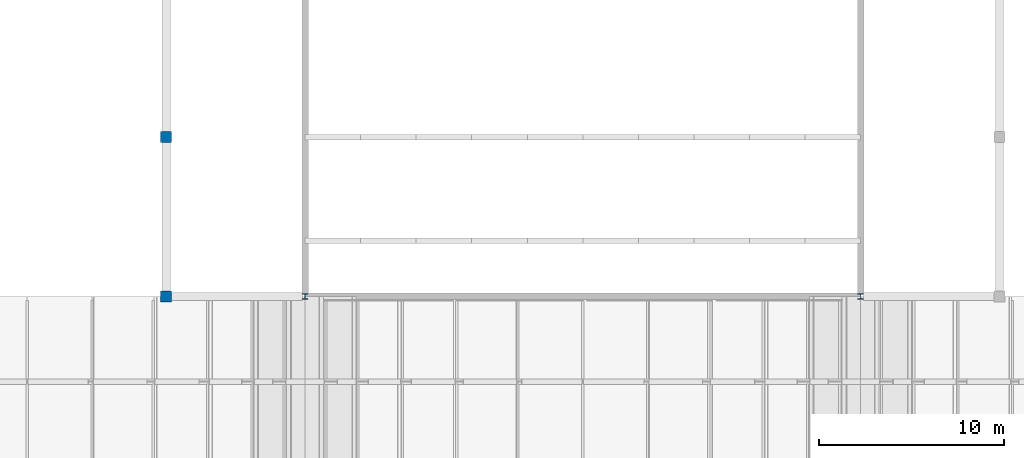
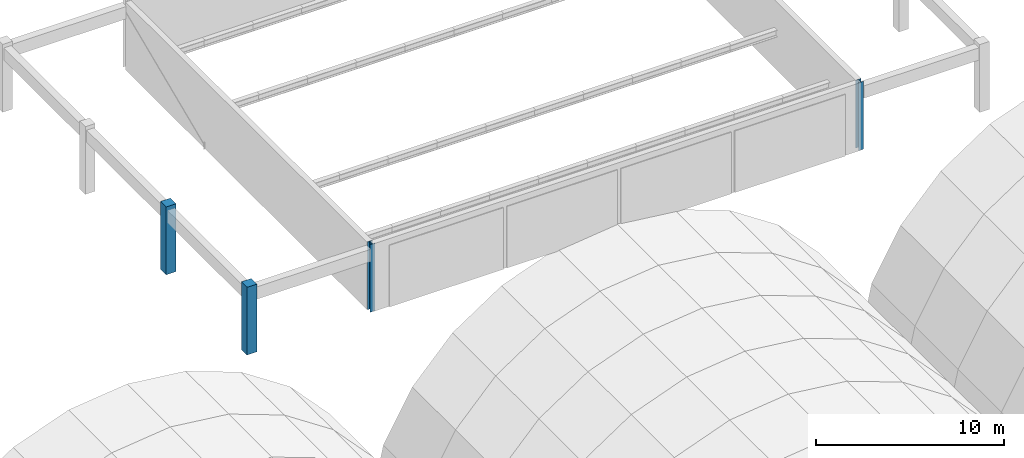
# One storey, part 1 of 47: 4 columns.
"""IFC4 building model written with IfcOpenShell, lengths in metres."""

from ifc_helpers import new_model, si_unit, direction, frame, origin, origin_2d, place, context, subcontext, project, spatial, rectangle, i_section, extrude, material, material_profile, profile_set, type_object, element, save


model = new_model("IFC4")

# Units and contexts
model_context = context("Model", 3, precision=1e-05, world=origin(), true_north=direction((0.0, 1.0)))
body_context = subcontext(model_context, "Body", "Model", "MODEL_VIEW")
ifc_project = project(units=[si_unit("LENGTHUNIT", "METRE"), si_unit("AREAUNIT", "SQUARE_METRE"), si_unit("VOLUMEUNIT", "CUBIC_METRE"), si_unit("PLANEANGLEUNIT", "RADIAN"), si_unit("MASSUNIT", "GRAM", prefix="KILO")], contexts=[model_context])

# Site, building, storey
site_placement = place(None, origin())
site = spatial("IfcSite", under=ifc_project, at=site_placement, CompositionType="ELEMENT")
building_placement = place(site_placement, origin())
building = spatial("IfcBuilding", under=site, at=building_placement, Name="Muzn Square Opera House", CompositionType="ELEMENT")
storey_placement = place(building_placement, frame((0.0, 0.0, 31.0)))
storey = spatial("IfcBuildingStorey", under=building, at=storey_placement, Name="RF-1", CompositionType="ELEMENT", Elevation=31.0)

# Columns
ifc_material_1 = material(Name="Concrete C45/55", Category="concrete")
ifc_material_profile_1 = material_profile(ifc_material_1, rectangle(XDim=0.60009765625, YDim=0.60009765625, at=origin_2d()), Name="RC 600x600", Category="concrete")
ifc_profile_set_1 = profile_set([ifc_material_profile_1], Name="Concrete C45/55")
column_type_1 = type_object("IfcColumnType", Name="Frame Column 600x600", PredefinedType="COLUMN", material=ifc_profile_set_1)
for number, where, z_axis, x_axis, name in (
    (1, (65.5, 72.60009765625, 0.0), (0.0, 0.0, 1.0), (1.0, 0.0, 0.0), "Column COL-RF1-COL-600-655_726"),
    (2, (65.5, 81.199951171875, 0.0), (0.0, 0.0, 1.0), (1.0, 0.0, 0.0), "Column COL-RF1-COL-600-655_812"),
):
    element("IfcColumn", number, at=place(storey_placement, frame(where, z_axis=z_axis, x_axis=x_axis)), inside=storey, type_object=column_type_1, Name=name, PredefinedType="COLUMN", context=body_context, shape_type="SweptSolid", body=[
        extrude(rectangle(XDim=0.60009765625, YDim=0.60009765625, at=origin_2d()), origin(), (0.0, 0.0, 1.0), 4.39990234375),
    ])
ifc_material_2 = material(Name="Steel S355", Category="steel")
ifc_material_profile_2 = material_profile(ifc_material_2, i_section(OverallWidth=0.300048828125, OverallDepth=0.300048828125, WebThickness=0.010986328125, FlangeThickness=0.01904296875, FilletRadius=0.027099609375, at=origin_2d()), Name="HEB 300", Category="steel")
ifc_profile_set_2 = profile_set([ifc_material_profile_2], Name="Steel S355")
column_type_2 = type_object("IfcColumnType", Name="Steel Gallery Column HEB300", PredefinedType="COLUMN", material=ifc_profile_set_2)
for number, where, z_axis, x_axis, name in (
    (3, (73.0, 72.60009765625, 0.0), (0.0, 0.0, 1.0), (1.0, 0.0, 0.0), "Column COL-RF1-COL-HEB300-730_726"),
    (4, (103.0, 72.60009765625, 0.0), (0.0, 0.0, 1.0), (1.0, 0.0, 0.0), "Column COL-RF1-COL-HEB300-1030_726"),
):
    element("IfcColumn", number, at=place(storey_placement, frame(where, z_axis=z_axis, x_axis=x_axis)), inside=storey, type_object=column_type_2, Name=name, PredefinedType="COLUMN", context=body_context, shape_type="SweptSolid", body=[
        extrude(i_section(OverallWidth=0.300048828125, OverallDepth=0.300048828125, WebThickness=0.010986328125, FlangeThickness=0.01904296875, FilletRadius=0.027099609375, at=origin_2d()), origin(), (0.0, 0.0, 1.0), 4.39990234375),
    ])

save(model, "model.ifc")
